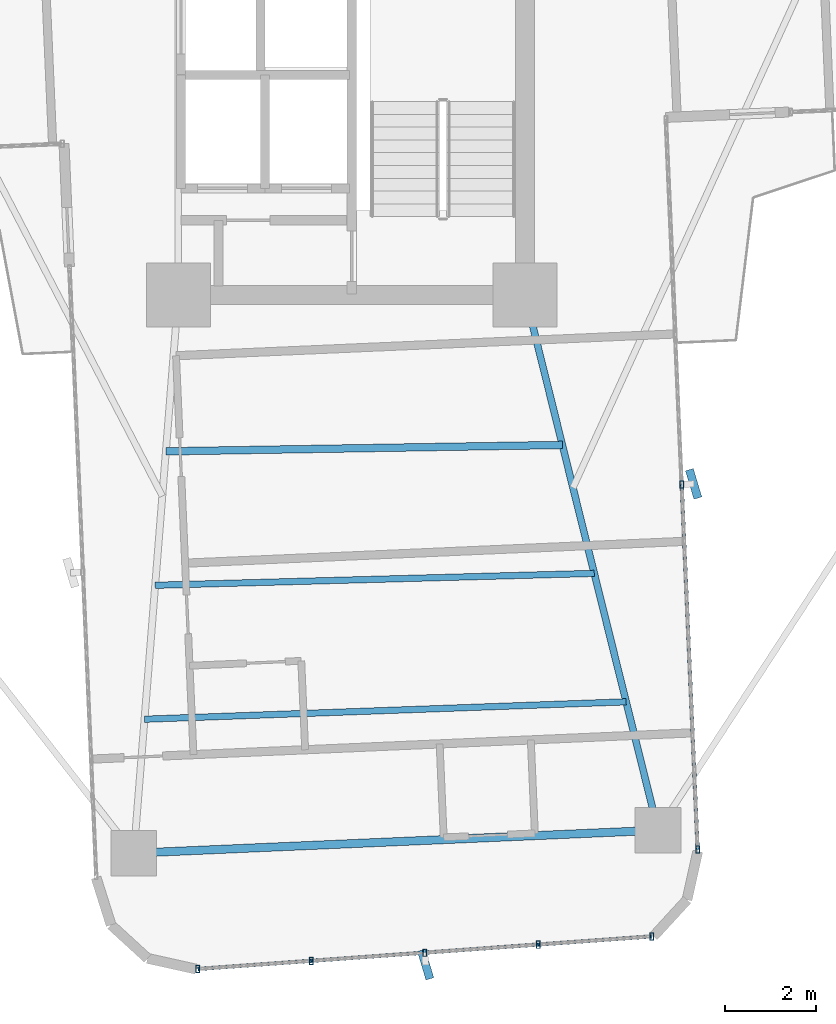
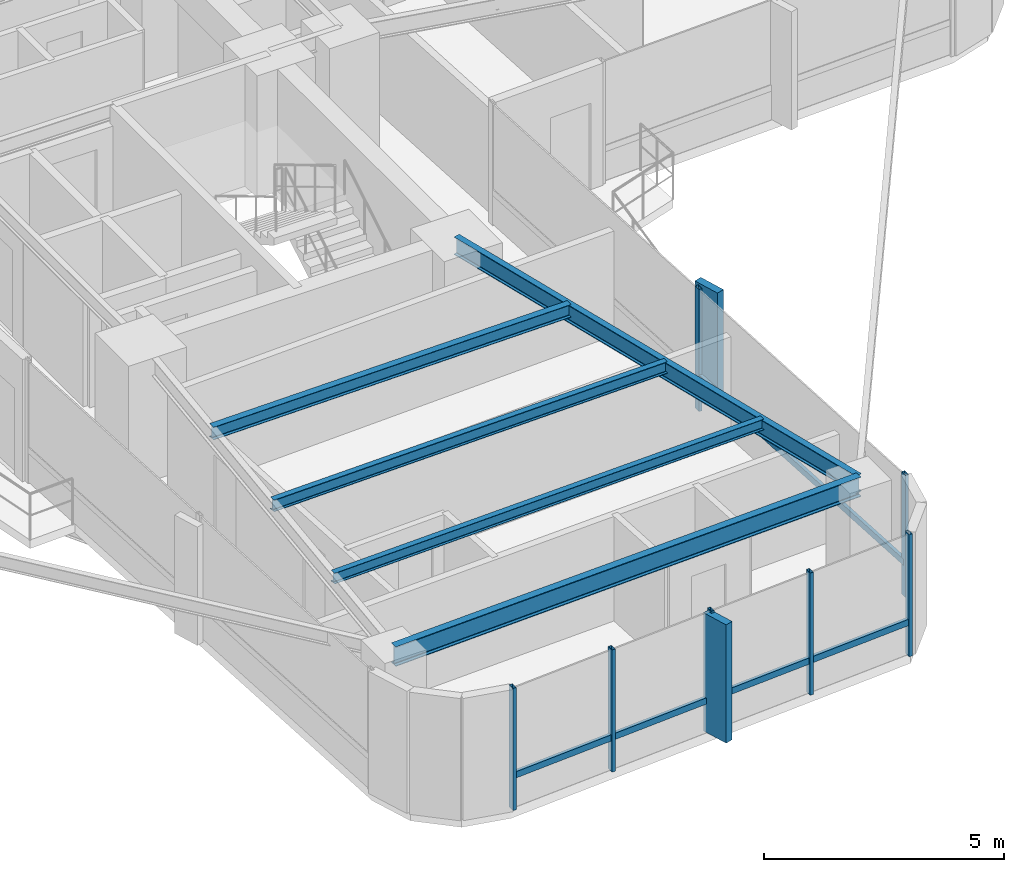
# One storey, part 6 of 26: 14 members, 5 beams, 2 elements without a shape of their own.
"""IFC4 building model written with IfcOpenShell, lengths in metres."""

from ifc_helpers import new_model, si_unit, direction, frame, origin, origin_2d, place, context, subcontext, project, spatial, rectangle, hollow_rectangle, i_section, extrude, source, transform, mapped, material, material_profile, profile_set, type_object, element, aggregate, save


model = new_model("IFC4")

# Units and contexts
model_context = context("Model", 3, precision=1e-05, world=origin(), true_north=direction((0.0, 1.0)))
body_context = subcontext(model_context, "Body", "Model", "MODEL_VIEW")
ifc_project = project(units=[si_unit("LENGTHUNIT", "METRE"), si_unit("AREAUNIT", "SQUARE_METRE"), si_unit("VOLUMEUNIT", "CUBIC_METRE"), si_unit("PLANEANGLEUNIT", "RADIAN"), si_unit("MASSUNIT", "GRAM", prefix="KILO")], contexts=[model_context])

# Site, building, storey
site_placement = place(None, origin())
site = spatial("IfcSite", under=ifc_project, at=site_placement, CompositionType="ELEMENT")
building_placement = place(site_placement, origin())
building = spatial("IfcBuilding", under=site, at=building_placement, Name="Sahyath Konkavel Grand Hotel", CompositionType="ELEMENT")
storey_placement = place(building_placement, frame((0.0, 0.0, 111.449951171875)))
storey = spatial("IfcBuildingStorey", under=building, at=storey_placement, Name="L30", CompositionType="ELEMENT", Elevation=111.449951171875)

# Beams
ifc_material_1 = material(Name="Steel E350", Category="steel")
ifc_material_profile_1 = material_profile(ifc_material_1, i_section(OverallWidth=0.14990234375, OverallDepth=0.449951171875, WebThickness=0.009521484375, FlangeThickness=0.017333984375, FilletRadius=0.014892578125, at=origin_2d()), Name="ISMB 450")
ifc_profile_set_1 = profile_set([ifc_material_profile_1], Name="Steel E350")
beam_type_1 = type_object("IfcBeamType", Name="BM-ISMB450", PredefinedType="BEAM", material=ifc_profile_set_1)
shared_shape_1 = source(origin(), body_context, "Body", "SweptSolid", [
    extrude(i_section(OverallWidth=0.14990234375, OverallDepth=0.449951171875, WebThickness=0.009521484375, FlangeThickness=0.017333984375, FilletRadius=0.014892578125, at=origin_2d()), origin(), (0.0, 0.0, 1.0), 12.084228515625),
])
beam_1_placement = place(storey_placement, frame((3.800048828125, -10.199951171875, 2.885009765625), z_axis=(0.241042688481, -0.970514514229, 0.0), x_axis=(0.970514514229, 0.241042688481, 0.0)))
element("IfcBeam", 1, at=beam_1_placement, inside=storey, type_object=beam_type_1, Name="L30 Cruciform Radial Girder SB", PredefinedType="BEAM", context=body_context, shape_type="MappedRepresentation", body=[
    mapped(shared_shape_1, transform((0.0, 0.0, 0.0), scale=1.0)),
])
ifc_material_profile_2 = material_profile(ifc_material_1, i_section(OverallWidth=0.179931640625, OverallDepth=0.5, WebThickness=0.01025390625, FlangeThickness=0.01708984375, FilletRadius=0.01708984375, at=origin_2d()), Name="ISMB 500")
ifc_profile_set_2 = profile_set([ifc_material_profile_2], Name="Steel E350")
beam_type_2 = type_object("IfcBeamType", Name="BM-ISMB500", PredefinedType="BEAM", material=ifc_profile_set_2)
shared_shape_2 = source(origin(), body_context, "Body", "SweptSolid", [
    extrude(i_section(OverallWidth=0.179931640625, OverallDepth=0.5, WebThickness=0.01025390625, FlangeThickness=0.01708984375, FilletRadius=0.01708984375, at=origin_2d()), origin(), (0.0, 0.0, 1.0), 11.5),
])
beam_2_placement = place(storey_placement, frame((-4.776123046875, -22.4296875, 2.860107421875), z_axis=(0.99904788879, 0.043627008892, 0.0), x_axis=(-0.043627008892, 0.99904788879, 0.0)))
element("IfcBeam", 2, at=beam_2_placement, inside=storey, type_object=beam_type_2, Name="L30 Wing Tip Edge Beam S", PredefinedType="BEAM", context=body_context, shape_type="MappedRepresentation", body=[
    mapped(shared_shape_2, transform((0.0, 0.0, 0.0), scale=1.0)),
])
ifc_material_profile_3 = material_profile(ifc_material_1, i_section(OverallWidth=0.1650390625, OverallDepth=0.324951171875, WebThickness=0.007080078125, FlangeThickness=0.009765625, FilletRadius=0.014892578125, at=origin_2d()), Name="ISLB 325")
ifc_profile_set_3 = profile_set([ifc_material_profile_3], Name="Steel E350")
beam_type_3 = type_object("IfcBeamType", Name="BM-ISLB325", PredefinedType="BEAM", material=ifc_profile_set_3)
shared_shape_3 = source(origin(), body_context, "Body", "SweptSolid", [
    extrude(i_section(OverallWidth=0.1650390625, OverallDepth=0.324951171875, WebThickness=0.007080078125, FlangeThickness=0.009765625, FilletRadius=0.014892578125, at=origin_2d()), origin(), (0.0, 0.0, 1.0), 8.68994140625),
])
beam_3_placement = place(storey_placement, frame((-4.0732421875, -13.624267578125, 2.947509765625), z_axis=(0.999869506431, 0.016154569283, 0.0), x_axis=(-0.016154569283, 0.999869506431, 0.0)))
element("IfcBeam", 3, at=beam_3_placement, inside=storey, type_object=beam_type_3, Name="L30 Secondary Floor Beam S-1", PredefinedType="BEAM", context=body_context, shape_type="MappedRepresentation", body=[
    mapped(shared_shape_3, transform((0.0, 0.0, 0.0), scale=1.0)),
])
ifc_material_profile_4 = material_profile(ifc_material_1, i_section(OverallWidth=0.139892578125, OverallDepth=0.300048828125, WebThickness=0.0078125, FlangeThickness=0.01318359375, FilletRadius=0.013916015625, at=origin_2d()), Name="ISMB 300")
ifc_profile_set_4 = profile_set([ifc_material_profile_4], Name="Steel E350")
beam_type_4 = type_object("IfcBeamType", Name="BM-ISMB300", PredefinedType="BEAM", material=ifc_profile_set_4)
shared_shape_4 = source(origin(), body_context, "Body", "SweptSolid", [
    extrude(i_section(OverallWidth=0.139892578125, OverallDepth=0.300048828125, WebThickness=0.0078125, FlangeThickness=0.01318359375, FilletRadius=0.013916015625, at=origin_2d()), origin(), (0.0, 0.0, 1.0), 9.625732421875),
])
beam_4_placement = place(storey_placement, frame((-4.3076171875, -16.559326171875, 2.9599609375), z_axis=(0.999633060528, 0.027087714933, 0.0), x_axis=(-0.027087714933, 0.999633060528, 0.0)))
element("IfcBeam", 4, at=beam_4_placement, inside=storey, type_object=beam_type_4, Name="L30 Secondary Floor Beam S-2", PredefinedType="BEAM", context=body_context, shape_type="MappedRepresentation", body=[
    mapped(shared_shape_4, transform((0.0, 0.0, 0.0), scale=1.0)),
])
ifc_material_profile_5 = material_profile(ifc_material_1, i_section(OverallWidth=0.139892578125, OverallDepth=0.27490234375, WebThickness=0.00634765625, FlangeThickness=0.0087890625, FilletRadius=0.012939453125, at=origin_2d()), Name="ISLB 275")
ifc_profile_set_5 = profile_set([ifc_material_profile_5], Name="Steel E350")
beam_type_5 = type_object("IfcBeamType", Name="BM-ISLB275", PredefinedType="BEAM", material=ifc_profile_set_5)
shared_shape_5 = source(origin(), body_context, "Body", "SweptSolid", [
    extrude(i_section(OverallWidth=0.139892578125, OverallDepth=0.27490234375, WebThickness=0.00634765625, FlangeThickness=0.0087890625, FilletRadius=0.012939453125, at=origin_2d()), origin(), (0.0, 0.0, 1.0), 10.562744140625),
])
beam_5_placement = place(storey_placement, frame((-4.5419921875, -19.49462890625, 2.97265625), z_axis=(0.999348077295, 0.036102914095, 0.0), x_axis=(-0.036102914095, 0.999348077295, 0.0)))
element("IfcBeam", 5, at=beam_5_placement, inside=storey, type_object=beam_type_5, Name="L30 Secondary Floor Beam S-3", PredefinedType="BEAM", context=body_context, shape_type="MappedRepresentation", body=[
    mapped(shared_shape_5, transform((0.0, 0.0, 0.0), scale=1.0)),
])

# Curtain wall, member
ifc_material_2 = material(Name="Anodised Bronze Aluminium & Low-E Glazing", Category="aluminium")
curtain_wall_type = type_object("IfcCurtainWallType", Name="CW-ZONE2", PredefinedType="NOTDEFINED", material=ifc_material_2)
curtain_wall_1_placement = place(storey_placement, origin())
curtain_wall_1 = element("IfcCurtainWall", 6, at=curtain_wall_1_placement, inside=storey, type_object=curtain_wall_type, Name="L30 Unitised Curtain Wall F28", PredefinedType="NOTDEFINED")
ifc_material_3 = material(Name="Warm Buff Sandstone Cladding on Concrete C50/60", Category="masonry")
ifc_material_profile_6 = material_profile(ifc_material_3, rectangle(XDim=0.179931640625, YDim=0.64990234375, at=origin_2d()), Name="FIN 180x650")
ifc_profile_set_6 = profile_set([ifc_material_profile_6], Name="Warm Buff Sandstone Cladding on Concrete C50/60")
member_type_1 = type_object("IfcMemberType", Name="FIN-SANDSTONE-650", PredefinedType="MULLION", material=ifc_profile_set_6)
shared_shape_6 = source(origin(), body_context, "Body", "SweptSolid", [
    extrude(rectangle(XDim=0.179931640625, YDim=0.64990234375, at=origin_2d()), origin(), (0.0, 0.0, 1.0), 3.010009765625),
])
member_1_placement = place(storey_placement, frame((1.61865234375, -24.872314453125, 0.050048828125), z_axis=(0.0, 0.0, 1.0), x_axis=(0.958172857028, 0.286190104747, 0.0)))
member_1 = element("IfcMember", 7, at=member_1_placement, type_object=member_type_1, Name="L30 Sandstone Vertical Solar Fin FIN F28-2", PredefinedType="MULLION", context=body_context, shape_type="MappedRepresentation", body=[
    mapped(shared_shape_6, transform((0.0, 0.0, 0.0), scale=1.0)),
])

curtain_wall_2_placement = place(storey_placement, origin())
curtain_wall_2 = element("IfcCurtainWall", 8, at=curtain_wall_2_placement, inside=storey, type_object=curtain_wall_type, Name="L30 Unitised Curtain Wall F31", PredefinedType="NOTDEFINED")
member_2_placement = place(storey_placement, frame((7.492431640625, -14.3369140625, 0.050048828125), z_axis=(0.0, 0.0, 1.0), x_axis=(0.958172857028, 0.286190104747, 0.0)))
member_2 = element("IfcMember", 9, at=member_2_placement, type_object=member_type_1, Name="L30 Sandstone Vertical Solar Fin FIN F31-1", PredefinedType="MULLION", context=body_context, shape_type="MappedRepresentation", body=[
    mapped(shared_shape_6, transform((0.0, 0.0, 0.0), scale=1.0)),
])

# Member
ifc_material_4 = material(Name="Anodised Bronze Aluminium", Category="aluminium")
ifc_material_profile_7 = material_profile(ifc_material_4, hollow_rectangle(XDim=0.080078125, YDim=0.159912109375, WallThickness=0.006103515625, at=origin_2d()), Name="RHS 160x80x6")
ifc_profile_set_7 = profile_set([ifc_material_profile_7], Name="Anodised Bronze Aluminium")
member_type_2 = type_object("IfcMemberType", Name="CW-MUL-160", PredefinedType="MULLION", material=ifc_profile_set_7)
shared_shape_7 = source(origin(), body_context, "Body", "SweptSolid", [
    extrude(hollow_rectangle(XDim=0.080078125, YDim=0.159912109375, WallThickness=0.006103515625, at=origin_2d()), origin(), (0.0, 0.0, 1.0), 3.110107421875),
])
member_3_placement = place(storey_placement, frame((-3.3740234375, -24.9697265625, 0.0), z_axis=(0.0, 0.0, 1.0), x_axis=(1.0, 0.0, 0.0)))
member_3 = element("IfcMember", 10, at=member_3_placement, type_object=member_type_2, Name="L30 Curtain Wall Mullion F28-0", PredefinedType="MULLION", context=body_context, shape_type="MappedRepresentation", body=[
    mapped(shared_shape_7, transform((0.0, 0.0, 0.0), scale=1.0)),
])

member_4_placement = place(storey_placement, frame((-0.886962890625, -24.79150390625, 0.0), z_axis=(0.0, 0.0, 1.0), x_axis=(1.0, 0.0, 0.0)))
member_4 = element("IfcMember", 11, at=member_4_placement, type_object=member_type_2, Name="L30 Curtain Wall Mullion F28-1", PredefinedType="MULLION", context=body_context, shape_type="MappedRepresentation", body=[
    mapped(shared_shape_7, transform((0.0, 0.0, 0.0), scale=1.0)),
])

member_5_placement = place(storey_placement, frame((1.60009765625, -24.61279296875, 0.0), z_axis=(0.0, 0.0, 1.0), x_axis=(1.0, 0.0, 0.0)))
member_5 = element("IfcMember", 12, at=member_5_placement, type_object=member_type_2, Name="L30 Curtain Wall Mullion F28-2", PredefinedType="MULLION", context=body_context, shape_type="MappedRepresentation", body=[
    mapped(shared_shape_7, transform((0.0, 0.0, 0.0), scale=1.0)),
])

member_6_placement = place(storey_placement, frame((4.087158203125, -24.4345703125, 0.0), z_axis=(0.0, 0.0, 1.0), x_axis=(1.0, 0.0, 0.0)))
member_6 = element("IfcMember", 13, at=member_6_placement, type_object=member_type_2, Name="L30 Curtain Wall Mullion F28-3", PredefinedType="MULLION", context=body_context, shape_type="MappedRepresentation", body=[
    mapped(shared_shape_7, transform((0.0, 0.0, 0.0), scale=1.0)),
])

member_7_placement = place(storey_placement, frame((6.57421875, -24.256103515625, 0.0), z_axis=(0.0, 0.0, 1.0), x_axis=(1.0, 0.0, 0.0)))
member_7 = element("IfcMember", 14, at=member_7_placement, type_object=member_type_2, Name="L30 Curtain Wall Mullion F28-4", PredefinedType="MULLION", context=body_context, shape_type="MappedRepresentation", body=[
    mapped(shared_shape_7, transform((0.0, 0.0, 0.0), scale=1.0)),
])

member_8_placement = place(storey_placement, frame((7.582275390625, -22.3505859375, 0.0), z_axis=(0.0, 0.0, 1.0), x_axis=(1.0, 0.0, 0.0)))
member_8 = element("IfcMember", 15, at=member_8_placement, type_object=member_type_2, Name="L30 Curtain Wall Mullion F31-0", PredefinedType="MULLION", context=body_context, shape_type="MappedRepresentation", body=[
    mapped(shared_shape_7, transform((0.0, 0.0, 0.0), scale=1.0)),
])

member_9_placement = place(storey_placement, frame((7.232666015625, -14.34814453125, 0.0), z_axis=(0.0, 0.0, 1.0), x_axis=(1.0, 0.0, 0.0)))
member_9 = element("IfcMember", 16, at=member_9_placement, type_object=member_type_2, Name="L30 Curtain Wall Mullion F31-1", PredefinedType="MULLION", context=body_context, shape_type="MappedRepresentation", body=[
    mapped(shared_shape_7, transform((0.0, 0.0, 0.0), scale=1.0)),
])

ifc_material_profile_8 = material_profile(ifc_material_4, hollow_rectangle(XDim=0.080078125, YDim=0.159912109375, WallThickness=0.006103515625, at=origin_2d()), Name="RHS 160x80x6")
ifc_profile_set_8 = profile_set([ifc_material_profile_8], Name="Anodised Bronze Aluminium")
member_type_3 = type_object("IfcMemberType", Name="CW-TRN-160", PredefinedType="USERDEFINED", material=ifc_profile_set_8)
shared_shape_8 = source(origin(), body_context, "Body", "SweptSolid", [
    extrude(hollow_rectangle(XDim=0.080078125, YDim=0.159912109375, WallThickness=0.006103515625, at=origin_2d()), origin(), (0.0, 0.0, 1.0), 2.493408203125),
])
member_10_placement = place(storey_placement, frame((-3.3740234375, -24.9697265625, 0.85009765625), z_axis=(0.997442271688, 0.071476672066, 0.0), x_axis=(-0.071476672066, 0.997442271688, 0.0)))
member_10 = element("IfcMember", 17, at=member_10_placement, type_object=member_type_3, Name="L30 Curtain Wall Transom F28-0-spandrel", ObjectType="TRANSOM", PredefinedType="USERDEFINED", context=body_context, shape_type="MappedRepresentation", body=[
    mapped(shared_shape_8, transform((0.0, 0.0, 0.0), scale=1.0)),
])

member_11_placement = place(storey_placement, frame((-0.886962890625, -24.79150390625, 0.85009765625), z_axis=(0.997428291631, 0.071671494009, 0.0), x_axis=(-0.071671494009, 0.997428291631, 0.0)))
member_11 = element("IfcMember", 18, at=member_11_placement, type_object=member_type_3, Name="L30 Curtain Wall Transom F28-1-spandrel", ObjectType="TRANSOM", PredefinedType="USERDEFINED", context=body_context, shape_type="MappedRepresentation", body=[
    mapped(shared_shape_8, transform((0.0, 0.0, 0.0), scale=1.0)),
])

member_12_placement = place(storey_placement, frame((1.60009765625, -24.61279296875, 0.85009765625), z_axis=(0.997442271688, 0.071476672066, 0.0), x_axis=(-0.071476672066, 0.997442271688, 0.0)))
member_12 = element("IfcMember", 19, at=member_12_placement, type_object=member_type_3, Name="L30 Curtain Wall Transom F28-2-spandrel", ObjectType="TRANSOM", PredefinedType="USERDEFINED", context=body_context, shape_type="MappedRepresentation", body=[
    mapped(shared_shape_8, transform((0.0, 0.0, 0.0), scale=1.0)),
])

member_13_placement = place(storey_placement, frame((4.087158203125, -24.4345703125, 0.85009765625), z_axis=(0.997435286367, 0.071574084062, 0.0), x_axis=(-0.071574084062, 0.997435286367, 0.0)))
member_13 = element("IfcMember", 20, at=member_13_placement, type_object=member_type_3, Name="L30 Curtain Wall Transom F28-3-spandrel", ObjectType="TRANSOM", PredefinedType="USERDEFINED", context=body_context, shape_type="MappedRepresentation", body=[
    mapped(shared_shape_8, transform((0.0, 0.0, 0.0), scale=1.0)),
])

aggregate(curtain_wall_1, [member_3, member_4, member_5, member_1, member_6, member_7, member_10, member_11, member_12, member_13])

shared_shape_9 = source(origin(), body_context, "Body", "SweptSolid", [
    extrude(hollow_rectangle(XDim=0.080078125, YDim=0.159912109375, WallThickness=0.006103515625, at=origin_2d()), origin(), (0.0, 0.0, 1.0), 8.010009765625),
])
member_14_placement = place(storey_placement, frame((7.582275390625, -22.3505859375, 0.85009765625), z_axis=(-0.043646207089, 0.999047050247, 0.0), x_axis=(-0.999047050247, -0.043646207089, 0.0)))
member_14 = element("IfcMember", 21, at=member_14_placement, type_object=member_type_3, Name="L30 Curtain Wall Transom F31-0-spandrel", ObjectType="TRANSOM", PredefinedType="USERDEFINED", context=body_context, shape_type="MappedRepresentation", body=[
    mapped(shared_shape_9, transform((0.0, 0.0, 0.0), scale=1.0)),
])

aggregate(curtain_wall_2, [member_8, member_9, member_2, member_14])

save(model, "model.ifc")
